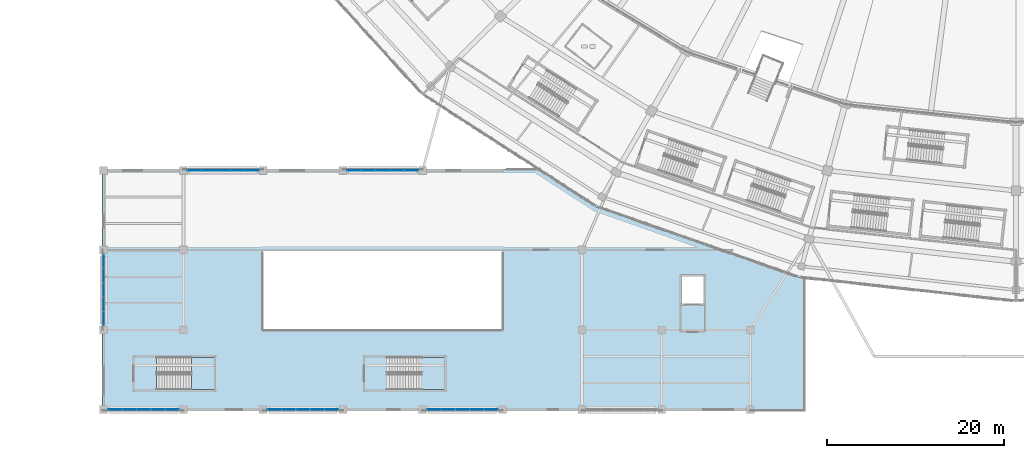
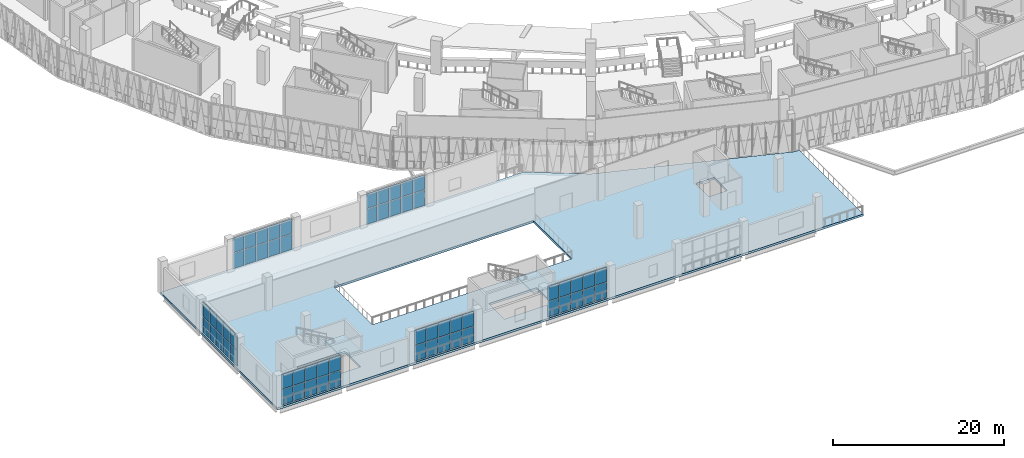
# One storey, part 72 of 183: 60 plates, 3 slabs, 8 elements without a shape of their own.
"""IFC4 building model written with IfcOpenShell, lengths in metres."""

from ifc_helpers import new_model, si_unit, direction, frame, origin, origin_2d, place, context, subcontext, project, spatial, polyline, rectangle, outline, extrude, material, layer, layer_set, type_object, element, aggregate, save


model = new_model("IFC4")

# Units and contexts
model_context = context("Model", 3, precision=1e-05, world=origin(), true_north=direction((0.0, 1.0)))
body_context = subcontext(model_context, "Body", "Model", "MODEL_VIEW")
ifc_project = project(units=[si_unit("LENGTHUNIT", "METRE"), si_unit("AREAUNIT", "SQUARE_METRE"), si_unit("VOLUMEUNIT", "CUBIC_METRE"), si_unit("PLANEANGLEUNIT", "RADIAN"), si_unit("MASSUNIT", "GRAM", prefix="KILO")], contexts=[model_context])

# Site, building, storey
site_placement = place(None, origin())
site = spatial("IfcSite", under=ifc_project, at=site_placement, CompositionType="ELEMENT")
building_placement = place(site_placement, origin())
building = spatial("IfcBuilding", under=site, at=building_placement, Name="Zevraka Park Crest Stadium", CompositionType="ELEMENT")
storey_placement = place(building_placement, frame((0.0, 0.0, 5.39990234375)))
storey = spatial("IfcBuildingStorey", under=building, at=storey_placement, Name="L01", CompositionType="ELEMENT", Elevation=5.39990234375)

# Curtain wall, plates
ifc_material_1 = material(Name="Anodised architectural aluminium and laminated safety glass", Category="aluminium")
curtain_wall_type_1 = type_object("IfcCurtainWallType", Name="CW27", PredefinedType="NOTDEFINED", material=ifc_material_1)
curtain_wall_1_placement = place(storey_placement, origin())
curtain_wall_1 = element("IfcCurtainWall", 1, at=curtain_wall_1_placement, inside=storey, type_object=curtain_wall_type_1, Name="Wing Curtain Wall CW27 L01-SW-S1-6", PredefinedType="NOTDEFINED")
ifc_material_2 = material(Name="Solar-control laminated double glazing", Category="glass")
ifc_layer_1 = layer(ifc_material_2, 0.035888671875)
ifc_layer_set_1 = layer_set([ifc_layer_1], Name="Solar-control laminated double glazing")
plate_type_1 = type_object("IfcPlateType", Name="CP27", PredefinedType="CURTAIN_PANEL", material=ifc_layer_set_1)
plate_1_placement = place(storey_placement, frame((34.73046875, 0.0, 0.06982421875), z_axis=(0.0, 0.0, 1.0), x_axis=(-1.0, 0.0, 0.0)))
plate_1 = element("IfcPlate", 2, at=plate_1_placement, type_object=plate_type_1, Name="CW27 panel 1.1", PredefinedType="CURTAIN_PANEL", context=body_context, shape_type="SweptSolid", body=[
    extrude(rectangle(XDim=1.51904296875, YDim=0.035888671875, at=origin_2d()), origin(), (0.0, 0.0, 1.0), 2.195068359375),
])
plate_2_placement = place(storey_placement, frame((34.73046875, 0.0, 2.3349609375), z_axis=(0.0, 0.0, 1.0), x_axis=(-1.0, 0.0, 0.0)))
plate_2 = element("IfcPlate", 3, at=plate_2_placement, type_object=plate_type_1, Name="CW27 panel 1.2", PredefinedType="CURTAIN_PANEL", context=body_context, shape_type="SweptSolid", body=[
    extrude(rectangle(XDim=1.51904296875, YDim=0.035888671875, at=origin_2d()), origin(), (0.0, 0.0, 1.0), 2.114990234375),
])
plate_3_placement = place(storey_placement, frame((33.1240234375, 0.0, 0.06982421875), z_axis=(0.0, 0.0, 1.0), x_axis=(-1.0, 0.0, 0.0)))
plate_3 = element("IfcPlate", 4, at=plate_3_placement, type_object=plate_type_1, Name="CW27 panel 2.1", PredefinedType="CURTAIN_PANEL", context=body_context, shape_type="SweptSolid", body=[
    extrude(rectangle(XDim=1.553955078125, YDim=0.035888671875, at=origin_2d()), origin(), (0.0, 0.0, 1.0), 2.195068359375),
])
plate_4_placement = place(storey_placement, frame((33.1240234375, 0.0, 2.3349609375), z_axis=(0.0, 0.0, 1.0), x_axis=(-1.0, 0.0, 0.0)))
plate_4 = element("IfcPlate", 5, at=plate_4_placement, type_object=plate_type_1, Name="CW27 panel 2.2", PredefinedType="CURTAIN_PANEL", context=body_context, shape_type="SweptSolid", body=[
    extrude(rectangle(XDim=1.553955078125, YDim=0.035888671875, at=origin_2d()), origin(), (0.0, 0.0, 1.0), 2.114990234375),
])
plate_5_placement = place(storey_placement, frame((31.5, 0.0, 0.06982421875), z_axis=(0.0, 0.0, 1.0), x_axis=(-1.0, 0.0, 0.0)))
plate_5 = element("IfcPlate", 6, at=plate_5_placement, type_object=plate_type_1, Name="CW27 panel 3.1", PredefinedType="CURTAIN_PANEL", context=body_context, shape_type="SweptSolid", body=[
    extrude(rectangle(XDim=1.553955078125, YDim=0.035888671875, at=origin_2d()), origin(), (0.0, 0.0, 1.0), 2.195068359375),
])
plate_6_placement = place(storey_placement, frame((31.5, 0.0, 2.3349609375), z_axis=(0.0, 0.0, 1.0), x_axis=(-1.0, 0.0, 0.0)))
plate_6 = element("IfcPlate", 7, at=plate_6_placement, type_object=plate_type_1, Name="CW27 panel 3.2", PredefinedType="CURTAIN_PANEL", context=body_context, shape_type="SweptSolid", body=[
    extrude(rectangle(XDim=1.553955078125, YDim=0.035888671875, at=origin_2d()), origin(), (0.0, 0.0, 1.0), 2.114990234375),
])
plate_7_placement = place(storey_placement, frame((29.8759765625, 0.0, 0.06982421875), z_axis=(0.0, 0.0, 1.0), x_axis=(-1.0, 0.0, 0.0)))
plate_7 = element("IfcPlate", 8, at=plate_7_placement, type_object=plate_type_1, Name="CW27 panel 4.1", PredefinedType="CURTAIN_PANEL", context=body_context, shape_type="SweptSolid", body=[
    extrude(rectangle(XDim=1.553955078125, YDim=0.035888671875, at=origin_2d()), origin(), (0.0, 0.0, 1.0), 2.195068359375),
])
plate_8_placement = place(storey_placement, frame((29.8759765625, 0.0, 2.3349609375), z_axis=(0.0, 0.0, 1.0), x_axis=(-1.0, 0.0, 0.0)))
plate_8 = element("IfcPlate", 9, at=plate_8_placement, type_object=plate_type_1, Name="CW27 panel 4.2", PredefinedType="CURTAIN_PANEL", context=body_context, shape_type="SweptSolid", body=[
    extrude(rectangle(XDim=1.553955078125, YDim=0.035888671875, at=origin_2d()), origin(), (0.0, 0.0, 1.0), 2.114990234375),
])
plate_9_placement = place(storey_placement, frame((28.26953125, 0.0, 0.06982421875), z_axis=(0.0, 0.0, 1.0), x_axis=(-1.0, 0.0, 0.0)))
plate_9 = element("IfcPlate", 10, at=plate_9_placement, type_object=plate_type_1, Name="CW27 panel 5.1", PredefinedType="CURTAIN_PANEL", context=body_context, shape_type="SweptSolid", body=[
    extrude(rectangle(XDim=1.51904296875, YDim=0.035888671875, at=origin_2d()), origin(), (0.0, 0.0, 1.0), 2.195068359375),
])
plate_10_placement = place(storey_placement, frame((28.26953125, 0.0, 2.3349609375), z_axis=(0.0, 0.0, 1.0), x_axis=(-1.0, 0.0, 0.0)))
plate_10 = element("IfcPlate", 11, at=plate_10_placement, type_object=plate_type_1, Name="CW27 panel 5.2", PredefinedType="CURTAIN_PANEL", context=body_context, shape_type="SweptSolid", body=[
    extrude(rectangle(XDim=1.51904296875, YDim=0.035888671875, at=origin_2d()), origin(), (0.0, 0.0, 1.0), 2.114990234375),
])
aggregate(curtain_wall_1, [plate_1, plate_2, plate_3, plate_4, plate_5, plate_6, plate_7, plate_8, plate_9, plate_10])

ifc_material_3 = material(Name="Anodised architectural aluminium and laminated safety glass", Category="aluminium")
curtain_wall_type_2 = type_object("IfcCurtainWallType", Name="CW28", PredefinedType="NOTDEFINED", material=ifc_material_3)
curtain_wall_2_placement = place(storey_placement, origin())
curtain_wall_2 = element("IfcCurtainWall", 12, at=curtain_wall_2_placement, inside=storey, type_object=curtain_wall_type_2, Name="Wing Curtain Wall CW28 L01-SW-W-2", PredefinedType="NOTDEFINED")
ifc_material_4 = material(Name="Solar-control laminated double glazing", Category="glass")
ifc_layer_2 = layer(ifc_material_4, 0.035888671875)
ifc_layer_set_2 = layer_set([ifc_layer_2], Name="Solar-control laminated double glazing")
plate_type_2 = type_object("IfcPlateType", Name="CP28", PredefinedType="CURTAIN_PANEL", material=ifc_layer_set_2)
plate_11_placement = place(storey_placement, frame((9.0, 10.26708984375, 0.06005859375), z_axis=(0.0, 0.0, 1.0), x_axis=(0.0, 1.0, 0.0)))
plate_11 = element("IfcPlate", 13, at=plate_11_placement, type_object=plate_type_2, Name="CW28 panel 1.1", PredefinedType="CURTAIN_PANEL", context=body_context, shape_type="SweptSolid", body=[
    extrude(rectangle(XDim=1.533935546875, YDim=0.035888671875, at=origin_2d()), origin(), (0.0, 0.0, 1.0), 2.2099609375),
])
plate_12_placement = place(storey_placement, frame((9.0, 10.26708984375, 2.330078125), z_axis=(0.0, 0.0, 1.0), x_axis=(0.0, 1.0, 0.0)))
plate_12 = element("IfcPlate", 14, at=plate_12_placement, type_object=plate_type_2, Name="CW28 panel 1.2", PredefinedType="CURTAIN_PANEL", context=body_context, shape_type="SweptSolid", body=[
    extrude(rectangle(XDim=1.533935546875, YDim=0.035888671875, at=origin_2d()), origin(), (0.0, 0.0, 1.0), 2.1298828125),
])
plate_13_placement = place(storey_placement, frame((9.0, 11.8759765625, 0.06005859375), z_axis=(0.0, 0.0, 1.0), x_axis=(0.0, 1.0, 0.0)))
plate_13 = element("IfcPlate", 15, at=plate_13_placement, type_object=plate_type_2, Name="CW28 panel 2.1", PredefinedType="CURTAIN_PANEL", context=body_context, shape_type="SweptSolid", body=[
    extrude(rectangle(XDim=1.56396484375, YDim=0.035888671875, at=origin_2d()), origin(), (0.0, 0.0, 1.0), 2.2099609375),
])
plate_14_placement = place(storey_placement, frame((9.0, 11.8759765625, 2.330078125), z_axis=(0.0, 0.0, 1.0), x_axis=(0.0, 1.0, 0.0)))
plate_14 = element("IfcPlate", 16, at=plate_14_placement, type_object=plate_type_2, Name="CW28 panel 2.2", PredefinedType="CURTAIN_PANEL", context=body_context, shape_type="SweptSolid", body=[
    extrude(rectangle(XDim=1.56396484375, YDim=0.035888671875, at=origin_2d()), origin(), (0.0, 0.0, 1.0), 2.1298828125),
])
plate_15_placement = place(storey_placement, frame((9.0, 13.5, 0.06005859375), z_axis=(0.0, 0.0, 1.0), x_axis=(0.0, 1.0, 0.0)))
plate_15 = element("IfcPlate", 17, at=plate_15_placement, type_object=plate_type_2, Name="CW28 panel 3.1", PredefinedType="CURTAIN_PANEL", context=body_context, shape_type="SweptSolid", body=[
    extrude(rectangle(XDim=1.56396484375, YDim=0.035888671875, at=origin_2d()), origin(), (0.0, 0.0, 1.0), 2.2099609375),
])
plate_16_placement = place(storey_placement, frame((9.0, 13.5, 2.330078125), z_axis=(0.0, 0.0, 1.0), x_axis=(0.0, 1.0, 0.0)))
plate_16 = element("IfcPlate", 18, at=plate_16_placement, type_object=plate_type_2, Name="CW28 panel 3.2", PredefinedType="CURTAIN_PANEL", context=body_context, shape_type="SweptSolid", body=[
    extrude(rectangle(XDim=1.56396484375, YDim=0.035888671875, at=origin_2d()), origin(), (0.0, 0.0, 1.0), 2.1298828125),
])
plate_17_placement = place(storey_placement, frame((9.0, 15.1240234375, 0.06005859375), z_axis=(0.0, 0.0, 1.0), x_axis=(0.0, 1.0, 0.0)))
plate_17 = element("IfcPlate", 19, at=plate_17_placement, type_object=plate_type_2, Name="CW28 panel 4.1", PredefinedType="CURTAIN_PANEL", context=body_context, shape_type="SweptSolid", body=[
    extrude(rectangle(XDim=1.56396484375, YDim=0.035888671875, at=origin_2d()), origin(), (0.0, 0.0, 1.0), 2.2099609375),
])
plate_18_placement = place(storey_placement, frame((9.0, 15.1240234375, 2.330078125), z_axis=(0.0, 0.0, 1.0), x_axis=(0.0, 1.0, 0.0)))
plate_18 = element("IfcPlate", 20, at=plate_18_placement, type_object=plate_type_2, Name="CW28 panel 4.2", PredefinedType="CURTAIN_PANEL", context=body_context, shape_type="SweptSolid", body=[
    extrude(rectangle(XDim=1.56396484375, YDim=0.035888671875, at=origin_2d()), origin(), (0.0, 0.0, 1.0), 2.1298828125),
])
plate_19_placement = place(storey_placement, frame((9.0, 16.73291015625, 0.06005859375), z_axis=(0.0, 0.0, 1.0), x_axis=(0.0, 1.0, 0.0)))
plate_19 = element("IfcPlate", 21, at=plate_19_placement, type_object=plate_type_2, Name="CW28 panel 5.1", PredefinedType="CURTAIN_PANEL", context=body_context, shape_type="SweptSolid", body=[
    extrude(rectangle(XDim=1.533935546875, YDim=0.035888671875, at=origin_2d()), origin(), (0.0, 0.0, 1.0), 2.2099609375),
])
plate_20_placement = place(storey_placement, frame((9.0, 16.73291015625, 2.330078125), z_axis=(0.0, 0.0, 1.0), x_axis=(0.0, 1.0, 0.0)))
plate_20 = element("IfcPlate", 22, at=plate_20_placement, type_object=plate_type_2, Name="CW28 panel 5.2", PredefinedType="CURTAIN_PANEL", context=body_context, shape_type="SweptSolid", body=[
    extrude(rectangle(XDim=1.533935546875, YDim=0.035888671875, at=origin_2d()), origin(), (0.0, 0.0, 1.0), 2.1298828125),
])
aggregate(curtain_wall_2, [plate_11, plate_12, plate_13, plate_14, plate_15, plate_16, plate_17, plate_18, plate_19, plate_20])

curtain_wall_3_placement = place(storey_placement, origin())
curtain_wall_3 = element("IfcCurtainWall", 23, at=curtain_wall_3_placement, inside=storey, type_object=curtain_wall_type_2, Name="Wing Curtain Wall CW28 L01-SW-N-2", PredefinedType="NOTDEFINED")
plate_21_placement = place(storey_placement, frame((19.26708984375, 27.0, 0.06005859375), z_axis=(0.0, 0.0, 1.0), x_axis=(1.0, 0.0, 0.0)))
plate_21 = element("IfcPlate", 24, at=plate_21_placement, type_object=plate_type_2, Name="CW28 panel 1.1", PredefinedType="CURTAIN_PANEL", context=body_context, shape_type="SweptSolid", body=[
    extrude(rectangle(XDim=1.533935546875, YDim=0.035888671875, at=origin_2d()), origin(), (0.0, 0.0, 1.0), 2.2099609375),
])
plate_22_placement = place(storey_placement, frame((19.26708984375, 27.0, 2.330078125), z_axis=(0.0, 0.0, 1.0), x_axis=(1.0, 0.0, 0.0)))
plate_22 = element("IfcPlate", 25, at=plate_22_placement, type_object=plate_type_2, Name="CW28 panel 1.2", PredefinedType="CURTAIN_PANEL", context=body_context, shape_type="SweptSolid", body=[
    extrude(rectangle(XDim=1.533935546875, YDim=0.035888671875, at=origin_2d()), origin(), (0.0, 0.0, 1.0), 2.1298828125),
])
plate_23_placement = place(storey_placement, frame((20.8759765625, 27.0, 0.06005859375), z_axis=(0.0, 0.0, 1.0), x_axis=(1.0, 0.0, 0.0)))
plate_23 = element("IfcPlate", 26, at=plate_23_placement, type_object=plate_type_2, Name="CW28 panel 2.1", PredefinedType="CURTAIN_PANEL", context=body_context, shape_type="SweptSolid", body=[
    extrude(rectangle(XDim=1.56396484375, YDim=0.035888671875, at=origin_2d()), origin(), (0.0, 0.0, 1.0), 2.2099609375),
])
plate_24_placement = place(storey_placement, frame((20.8759765625, 27.0, 2.330078125), z_axis=(0.0, 0.0, 1.0), x_axis=(1.0, 0.0, 0.0)))
plate_24 = element("IfcPlate", 27, at=plate_24_placement, type_object=plate_type_2, Name="CW28 panel 2.2", PredefinedType="CURTAIN_PANEL", context=body_context, shape_type="SweptSolid", body=[
    extrude(rectangle(XDim=1.56396484375, YDim=0.035888671875, at=origin_2d()), origin(), (0.0, 0.0, 1.0), 2.1298828125),
])
plate_25_placement = place(storey_placement, frame((22.5, 27.0, 0.06005859375), z_axis=(0.0, 0.0, 1.0), x_axis=(1.0, 0.0, 0.0)))
plate_25 = element("IfcPlate", 28, at=plate_25_placement, type_object=plate_type_2, Name="CW28 panel 3.1", PredefinedType="CURTAIN_PANEL", context=body_context, shape_type="SweptSolid", body=[
    extrude(rectangle(XDim=1.56396484375, YDim=0.035888671875, at=origin_2d()), origin(), (0.0, 0.0, 1.0), 2.2099609375),
])
plate_26_placement = place(storey_placement, frame((22.5, 27.0, 2.330078125), z_axis=(0.0, 0.0, 1.0), x_axis=(1.0, 0.0, 0.0)))
plate_26 = element("IfcPlate", 29, at=plate_26_placement, type_object=plate_type_2, Name="CW28 panel 3.2", PredefinedType="CURTAIN_PANEL", context=body_context, shape_type="SweptSolid", body=[
    extrude(rectangle(XDim=1.56396484375, YDim=0.035888671875, at=origin_2d()), origin(), (0.0, 0.0, 1.0), 2.1298828125),
])
plate_27_placement = place(storey_placement, frame((24.1240234375, 27.0, 0.06005859375), z_axis=(0.0, 0.0, 1.0), x_axis=(1.0, 0.0, 0.0)))
plate_27 = element("IfcPlate", 30, at=plate_27_placement, type_object=plate_type_2, Name="CW28 panel 4.1", PredefinedType="CURTAIN_PANEL", context=body_context, shape_type="SweptSolid", body=[
    extrude(rectangle(XDim=1.56396484375, YDim=0.035888671875, at=origin_2d()), origin(), (0.0, 0.0, 1.0), 2.2099609375),
])
plate_28_placement = place(storey_placement, frame((24.1240234375, 27.0, 2.330078125), z_axis=(0.0, 0.0, 1.0), x_axis=(1.0, 0.0, 0.0)))
plate_28 = element("IfcPlate", 31, at=plate_28_placement, type_object=plate_type_2, Name="CW28 panel 4.2", PredefinedType="CURTAIN_PANEL", context=body_context, shape_type="SweptSolid", body=[
    extrude(rectangle(XDim=1.56396484375, YDim=0.035888671875, at=origin_2d()), origin(), (0.0, 0.0, 1.0), 2.1298828125),
])
plate_29_placement = place(storey_placement, frame((25.73291015625, 27.0, 0.06005859375), z_axis=(0.0, 0.0, 1.0), x_axis=(1.0, 0.0, 0.0)))
plate_29 = element("IfcPlate", 32, at=plate_29_placement, type_object=plate_type_2, Name="CW28 panel 5.1", PredefinedType="CURTAIN_PANEL", context=body_context, shape_type="SweptSolid", body=[
    extrude(rectangle(XDim=1.533935546875, YDim=0.035888671875, at=origin_2d()), origin(), (0.0, 0.0, 1.0), 2.2099609375),
])
plate_30_placement = place(storey_placement, frame((25.73291015625, 27.0, 2.330078125), z_axis=(0.0, 0.0, 1.0), x_axis=(1.0, 0.0, 0.0)))
plate_30 = element("IfcPlate", 33, at=plate_30_placement, type_object=plate_type_2, Name="CW28 panel 5.2", PredefinedType="CURTAIN_PANEL", context=body_context, shape_type="SweptSolid", body=[
    extrude(rectangle(XDim=1.533935546875, YDim=0.035888671875, at=origin_2d()), origin(), (0.0, 0.0, 1.0), 2.1298828125),
])
aggregate(curtain_wall_3, [plate_21, plate_22, plate_23, plate_24, plate_25, plate_26, plate_27, plate_28, plate_29, plate_30])

ifc_material_5 = material(Name="Anodised architectural aluminium and laminated safety glass", Category="aluminium")
curtain_wall_type_3 = type_object("IfcCurtainWallType", Name="CW29", PredefinedType="NOTDEFINED", material=ifc_material_5)
curtain_wall_4_placement = place(storey_placement, origin())
curtain_wall_4 = element("IfcCurtainWall", 34, at=curtain_wall_4_placement, inside=storey, type_object=curtain_wall_type_3, Name="Wing Curtain Wall CW29 L01-SW-S1-8", PredefinedType="NOTDEFINED")
ifc_material_6 = material(Name="Solar-control laminated double glazing", Category="glass")
ifc_layer_3 = layer(ifc_material_6, 0.035888671875)
ifc_layer_set_3 = layer_set([ifc_layer_3], Name="Solar-control laminated double glazing")
plate_type_3 = type_object("IfcPlateType", Name="CP29", PredefinedType="CURTAIN_PANEL", material=ifc_layer_set_3)
plate_31_placement = place(storey_placement, frame((16.731689453125, 0.0, 0.06494140625), z_axis=(0.0, 0.0, 1.0), x_axis=(-1.0, 0.0, 0.0)))
plate_31 = element("IfcPlate", 35, at=plate_31_placement, type_object=plate_type_3, Name="CW29 panel 1.1", PredefinedType="CURTAIN_PANEL", context=body_context, shape_type="SweptSolid", body=[
    extrude(rectangle(XDim=1.526611328125, YDim=0.035888671875, at=origin_2d()), origin(), (0.0, 0.0, 1.0), 2.202392578125),
])
plate_32_placement = place(storey_placement, frame((16.731689453125, 0.0, 2.33251953125), z_axis=(0.0, 0.0, 1.0), x_axis=(-1.0, 0.0, 0.0)))
plate_32 = element("IfcPlate", 36, at=plate_32_placement, type_object=plate_type_3, Name="CW29 panel 1.2", PredefinedType="CURTAIN_PANEL", context=body_context, shape_type="SweptSolid", body=[
    extrude(rectangle(XDim=1.526611328125, YDim=0.035888671875, at=origin_2d()), origin(), (0.0, 0.0, 1.0), 2.12255859375),
])
plate_33_placement = place(storey_placement, frame((15.1240234375, 0.0, 0.06494140625), z_axis=(0.0, 0.0, 1.0), x_axis=(-1.0, 0.0, 0.0)))
plate_33 = element("IfcPlate", 37, at=plate_33_placement, type_object=plate_type_3, Name="CW29 panel 2.1", PredefinedType="CURTAIN_PANEL", context=body_context, shape_type="SweptSolid", body=[
    extrude(rectangle(XDim=1.55908203125, YDim=0.035888671875, at=origin_2d()), origin(), (0.0, 0.0, 1.0), 2.202392578125),
])
plate_34_placement = place(storey_placement, frame((15.1240234375, 0.0, 2.33251953125), z_axis=(0.0, 0.0, 1.0), x_axis=(-1.0, 0.0, 0.0)))
plate_34 = element("IfcPlate", 38, at=plate_34_placement, type_object=plate_type_3, Name="CW29 panel 2.2", PredefinedType="CURTAIN_PANEL", context=body_context, shape_type="SweptSolid", body=[
    extrude(rectangle(XDim=1.55908203125, YDim=0.035888671875, at=origin_2d()), origin(), (0.0, 0.0, 1.0), 2.12255859375),
])
plate_35_placement = place(storey_placement, frame((13.5, 0.0, 0.06494140625), z_axis=(0.0, 0.0, 1.0), x_axis=(-1.0, 0.0, 0.0)))
plate_35 = element("IfcPlate", 39, at=plate_35_placement, type_object=plate_type_3, Name="CW29 panel 3.1", PredefinedType="CURTAIN_PANEL", context=body_context, shape_type="SweptSolid", body=[
    extrude(rectangle(XDim=1.55908203125, YDim=0.035888671875, at=origin_2d()), origin(), (0.0, 0.0, 1.0), 2.202392578125),
])
plate_36_placement = place(storey_placement, frame((13.5, 0.0, 2.33251953125), z_axis=(0.0, 0.0, 1.0), x_axis=(-1.0, 0.0, 0.0)))
plate_36 = element("IfcPlate", 40, at=plate_36_placement, type_object=plate_type_3, Name="CW29 panel 3.2", PredefinedType="CURTAIN_PANEL", context=body_context, shape_type="SweptSolid", body=[
    extrude(rectangle(XDim=1.55908203125, YDim=0.035888671875, at=origin_2d()), origin(), (0.0, 0.0, 1.0), 2.12255859375),
])
plate_37_placement = place(storey_placement, frame((11.8759765625, 0.0, 0.06494140625), z_axis=(0.0, 0.0, 1.0), x_axis=(-1.0, 0.0, 0.0)))
plate_37 = element("IfcPlate", 41, at=plate_37_placement, type_object=plate_type_3, Name="CW29 panel 4.1", PredefinedType="CURTAIN_PANEL", context=body_context, shape_type="SweptSolid", body=[
    extrude(rectangle(XDim=1.55908203125, YDim=0.035888671875, at=origin_2d()), origin(), (0.0, 0.0, 1.0), 2.202392578125),
])
plate_38_placement = place(storey_placement, frame((11.8759765625, 0.0, 2.33251953125), z_axis=(0.0, 0.0, 1.0), x_axis=(-1.0, 0.0, 0.0)))
plate_38 = element("IfcPlate", 42, at=plate_38_placement, type_object=plate_type_3, Name="CW29 panel 4.2", PredefinedType="CURTAIN_PANEL", context=body_context, shape_type="SweptSolid", body=[
    extrude(rectangle(XDim=1.55908203125, YDim=0.035888671875, at=origin_2d()), origin(), (0.0, 0.0, 1.0), 2.12255859375),
])
plate_39_placement = place(storey_placement, frame((10.268310546875, 0.0, 0.06494140625), z_axis=(0.0, 0.0, 1.0), x_axis=(-1.0, 0.0, 0.0)))
plate_39 = element("IfcPlate", 43, at=plate_39_placement, type_object=plate_type_3, Name="CW29 panel 5.1", PredefinedType="CURTAIN_PANEL", context=body_context, shape_type="SweptSolid", body=[
    extrude(rectangle(XDim=1.526611328125, YDim=0.035888671875, at=origin_2d()), origin(), (0.0, 0.0, 1.0), 2.202392578125),
])
plate_40_placement = place(storey_placement, frame((10.268310546875, 0.0, 2.33251953125), z_axis=(0.0, 0.0, 1.0), x_axis=(-1.0, 0.0, 0.0)))
plate_40 = element("IfcPlate", 44, at=plate_40_placement, type_object=plate_type_3, Name="CW29 panel 5.2", PredefinedType="CURTAIN_PANEL", context=body_context, shape_type="SweptSolid", body=[
    extrude(rectangle(XDim=1.526611328125, YDim=0.035888671875, at=origin_2d()), origin(), (0.0, 0.0, 1.0), 2.12255859375),
])
aggregate(curtain_wall_4, [plate_31, plate_32, plate_33, plate_34, plate_35, plate_36, plate_37, plate_38, plate_39, plate_40])

ifc_material_7 = material(Name="Anodised architectural aluminium and laminated safety glass", Category="aluminium")
curtain_wall_type_4 = type_object("IfcCurtainWallType", Name="CW30", PredefinedType="NOTDEFINED", material=ifc_material_7)
curtain_wall_5_placement = place(storey_placement, origin())
curtain_wall_5 = element("IfcCurtainWall", 45, at=curtain_wall_5_placement, inside=storey, type_object=curtain_wall_type_4, Name="Wing Curtain Wall CW30 L01-SW-S1-4", PredefinedType="NOTDEFINED")
ifc_material_8 = material(Name="Solar-control laminated double glazing", Category="glass")
ifc_layer_4 = layer(ifc_material_8, 0.035888671875)
ifc_layer_set_4 = layer_set([ifc_layer_4], Name="Solar-control laminated double glazing")
plate_type_4 = type_object("IfcPlateType", Name="CP30", PredefinedType="CURTAIN_PANEL", material=ifc_layer_set_4)
plate_41_placement = place(storey_placement, frame((52.73046875, 0.0, 0.06982421875), z_axis=(0.0, 0.0, 1.0), x_axis=(-1.0, 0.0, 0.0)))
plate_41 = element("IfcPlate", 46, at=plate_41_placement, type_object=plate_type_4, Name="CW30 panel 1.1", PredefinedType="CURTAIN_PANEL", context=body_context, shape_type="SweptSolid", body=[
    extrude(rectangle(XDim=1.51904296875, YDim=0.035888671875, at=origin_2d()), origin(), (0.0, 0.0, 1.0), 2.195068359375),
])
plate_42_placement = place(storey_placement, frame((52.73046875, 0.0, 2.3349609375), z_axis=(0.0, 0.0, 1.0), x_axis=(-1.0, 0.0, 0.0)))
plate_42 = element("IfcPlate", 47, at=plate_42_placement, type_object=plate_type_4, Name="CW30 panel 1.2", PredefinedType="CURTAIN_PANEL", context=body_context, shape_type="SweptSolid", body=[
    extrude(rectangle(XDim=1.51904296875, YDim=0.035888671875, at=origin_2d()), origin(), (0.0, 0.0, 1.0), 2.114990234375),
])
plate_43_placement = place(storey_placement, frame((51.1240234375, 0.0, 0.06982421875), z_axis=(0.0, 0.0, 1.0), x_axis=(-1.0, 0.0, 0.0)))
plate_43 = element("IfcPlate", 48, at=plate_43_placement, type_object=plate_type_4, Name="CW30 panel 2.1", PredefinedType="CURTAIN_PANEL", context=body_context, shape_type="SweptSolid", body=[
    extrude(rectangle(XDim=1.553955078125, YDim=0.035888671875, at=origin_2d()), origin(), (0.0, 0.0, 1.0), 2.195068359375),
])
plate_44_placement = place(storey_placement, frame((51.1240234375, 0.0, 2.3349609375), z_axis=(0.0, 0.0, 1.0), x_axis=(-1.0, 0.0, 0.0)))
plate_44 = element("IfcPlate", 49, at=plate_44_placement, type_object=plate_type_4, Name="CW30 panel 2.2", PredefinedType="CURTAIN_PANEL", context=body_context, shape_type="SweptSolid", body=[
    extrude(rectangle(XDim=1.553955078125, YDim=0.035888671875, at=origin_2d()), origin(), (0.0, 0.0, 1.0), 2.114990234375),
])
plate_45_placement = place(storey_placement, frame((49.5, 0.0, 0.06982421875), z_axis=(0.0, 0.0, 1.0), x_axis=(-1.0, 0.0, 0.0)))
plate_45 = element("IfcPlate", 50, at=plate_45_placement, type_object=plate_type_4, Name="CW30 panel 3.1", PredefinedType="CURTAIN_PANEL", context=body_context, shape_type="SweptSolid", body=[
    extrude(rectangle(XDim=1.553955078125, YDim=0.035888671875, at=origin_2d()), origin(), (0.0, 0.0, 1.0), 2.195068359375),
])
plate_46_placement = place(storey_placement, frame((49.5, 0.0, 2.3349609375), z_axis=(0.0, 0.0, 1.0), x_axis=(-1.0, 0.0, 0.0)))
plate_46 = element("IfcPlate", 51, at=plate_46_placement, type_object=plate_type_4, Name="CW30 panel 3.2", PredefinedType="CURTAIN_PANEL", context=body_context, shape_type="SweptSolid", body=[
    extrude(rectangle(XDim=1.553955078125, YDim=0.035888671875, at=origin_2d()), origin(), (0.0, 0.0, 1.0), 2.114990234375),
])
plate_47_placement = place(storey_placement, frame((47.8759765625, 0.0, 0.06982421875), z_axis=(0.0, 0.0, 1.0), x_axis=(-1.0, 0.0, 0.0)))
plate_47 = element("IfcPlate", 52, at=plate_47_placement, type_object=plate_type_4, Name="CW30 panel 4.1", PredefinedType="CURTAIN_PANEL", context=body_context, shape_type="SweptSolid", body=[
    extrude(rectangle(XDim=1.553955078125, YDim=0.035888671875, at=origin_2d()), origin(), (0.0, 0.0, 1.0), 2.195068359375),
])
plate_48_placement = place(storey_placement, frame((47.8759765625, 0.0, 2.3349609375), z_axis=(0.0, 0.0, 1.0), x_axis=(-1.0, 0.0, 0.0)))
plate_48 = element("IfcPlate", 53, at=plate_48_placement, type_object=plate_type_4, Name="CW30 panel 4.2", PredefinedType="CURTAIN_PANEL", context=body_context, shape_type="SweptSolid", body=[
    extrude(rectangle(XDim=1.553955078125, YDim=0.035888671875, at=origin_2d()), origin(), (0.0, 0.0, 1.0), 2.114990234375),
])
plate_49_placement = place(storey_placement, frame((46.26953125, 0.0, 0.06982421875), z_axis=(0.0, 0.0, 1.0), x_axis=(-1.0, 0.0, 0.0)))
plate_49 = element("IfcPlate", 54, at=plate_49_placement, type_object=plate_type_4, Name="CW30 panel 5.1", PredefinedType="CURTAIN_PANEL", context=body_context, shape_type="SweptSolid", body=[
    extrude(rectangle(XDim=1.51904296875, YDim=0.035888671875, at=origin_2d()), origin(), (0.0, 0.0, 1.0), 2.195068359375),
])
plate_50_placement = place(storey_placement, frame((46.26953125, 0.0, 2.3349609375), z_axis=(0.0, 0.0, 1.0), x_axis=(-1.0, 0.0, 0.0)))
plate_50 = element("IfcPlate", 55, at=plate_50_placement, type_object=plate_type_4, Name="CW30 panel 5.2", PredefinedType="CURTAIN_PANEL", context=body_context, shape_type="SweptSolid", body=[
    extrude(rectangle(XDim=1.51904296875, YDim=0.035888671875, at=origin_2d()), origin(), (0.0, 0.0, 1.0), 2.114990234375),
])
aggregate(curtain_wall_5, [plate_41, plate_42, plate_43, plate_44, plate_45, plate_46, plate_47, plate_48, plate_49, plate_50])

curtain_wall_6_placement = place(storey_placement, origin())
curtain_wall_6 = element("IfcCurtainWall", 56, at=curtain_wall_6_placement, inside=storey, type_object=curtain_wall_type_4, Name="Wing Curtain Wall CW30 L01-SW-N-4", PredefinedType="NOTDEFINED")
plate_51_placement = place(storey_placement, frame((37.26953125, 27.0, 0.06982421875), z_axis=(0.0, 0.0, 1.0), x_axis=(1.0, 0.0, 0.0)))
plate_51 = element("IfcPlate", 57, at=plate_51_placement, type_object=plate_type_4, Name="CW30 panel 1.1", PredefinedType="CURTAIN_PANEL", context=body_context, shape_type="SweptSolid", body=[
    extrude(rectangle(XDim=1.51904296875, YDim=0.035888671875, at=origin_2d()), origin(), (0.0, 0.0, 1.0), 2.195068359375),
])
plate_52_placement = place(storey_placement, frame((37.26953125, 27.0, 2.3349609375), z_axis=(0.0, 0.0, 1.0), x_axis=(1.0, 0.0, 0.0)))
plate_52 = element("IfcPlate", 58, at=plate_52_placement, type_object=plate_type_4, Name="CW30 panel 1.2", PredefinedType="CURTAIN_PANEL", context=body_context, shape_type="SweptSolid", body=[
    extrude(rectangle(XDim=1.51904296875, YDim=0.035888671875, at=origin_2d()), origin(), (0.0, 0.0, 1.0), 2.114990234375),
])
plate_53_placement = place(storey_placement, frame((38.8759765625, 27.0, 0.06982421875), z_axis=(0.0, 0.0, 1.0), x_axis=(1.0, 0.0, 0.0)))
plate_53 = element("IfcPlate", 59, at=plate_53_placement, type_object=plate_type_4, Name="CW30 panel 2.1", PredefinedType="CURTAIN_PANEL", context=body_context, shape_type="SweptSolid", body=[
    extrude(rectangle(XDim=1.553955078125, YDim=0.035888671875, at=origin_2d()), origin(), (0.0, 0.0, 1.0), 2.195068359375),
])
plate_54_placement = place(storey_placement, frame((38.8759765625, 27.0, 2.3349609375), z_axis=(0.0, 0.0, 1.0), x_axis=(1.0, 0.0, 0.0)))
plate_54 = element("IfcPlate", 60, at=plate_54_placement, type_object=plate_type_4, Name="CW30 panel 2.2", PredefinedType="CURTAIN_PANEL", context=body_context, shape_type="SweptSolid", body=[
    extrude(rectangle(XDim=1.553955078125, YDim=0.035888671875, at=origin_2d()), origin(), (0.0, 0.0, 1.0), 2.114990234375),
])
plate_55_placement = place(storey_placement, frame((40.5, 27.0, 0.06982421875), z_axis=(0.0, 0.0, 1.0), x_axis=(1.0, 0.0, 0.0)))
plate_55 = element("IfcPlate", 61, at=plate_55_placement, type_object=plate_type_4, Name="CW30 panel 3.1", PredefinedType="CURTAIN_PANEL", context=body_context, shape_type="SweptSolid", body=[
    extrude(rectangle(XDim=1.553955078125, YDim=0.035888671875, at=origin_2d()), origin(), (0.0, 0.0, 1.0), 2.195068359375),
])
plate_56_placement = place(storey_placement, frame((40.5, 27.0, 2.3349609375), z_axis=(0.0, 0.0, 1.0), x_axis=(1.0, 0.0, 0.0)))
plate_56 = element("IfcPlate", 62, at=plate_56_placement, type_object=plate_type_4, Name="CW30 panel 3.2", PredefinedType="CURTAIN_PANEL", context=body_context, shape_type="SweptSolid", body=[
    extrude(rectangle(XDim=1.553955078125, YDim=0.035888671875, at=origin_2d()), origin(), (0.0, 0.0, 1.0), 2.114990234375),
])
plate_57_placement = place(storey_placement, frame((42.1240234375, 27.0, 0.06982421875), z_axis=(0.0, 0.0, 1.0), x_axis=(1.0, 0.0, 0.0)))
plate_57 = element("IfcPlate", 63, at=plate_57_placement, type_object=plate_type_4, Name="CW30 panel 4.1", PredefinedType="CURTAIN_PANEL", context=body_context, shape_type="SweptSolid", body=[
    extrude(rectangle(XDim=1.553955078125, YDim=0.035888671875, at=origin_2d()), origin(), (0.0, 0.0, 1.0), 2.195068359375),
])
plate_58_placement = place(storey_placement, frame((42.1240234375, 27.0, 2.3349609375), z_axis=(0.0, 0.0, 1.0), x_axis=(1.0, 0.0, 0.0)))
plate_58 = element("IfcPlate", 64, at=plate_58_placement, type_object=plate_type_4, Name="CW30 panel 4.2", PredefinedType="CURTAIN_PANEL", context=body_context, shape_type="SweptSolid", body=[
    extrude(rectangle(XDim=1.553955078125, YDim=0.035888671875, at=origin_2d()), origin(), (0.0, 0.0, 1.0), 2.114990234375),
])
plate_59_placement = place(storey_placement, frame((43.73046875, 27.0, 0.06982421875), z_axis=(0.0, 0.0, 1.0), x_axis=(1.0, 0.0, 0.0)))
plate_59 = element("IfcPlate", 65, at=plate_59_placement, type_object=plate_type_4, Name="CW30 panel 5.1", PredefinedType="CURTAIN_PANEL", context=body_context, shape_type="SweptSolid", body=[
    extrude(rectangle(XDim=1.51904296875, YDim=0.035888671875, at=origin_2d()), origin(), (0.0, 0.0, 1.0), 2.195068359375),
])
plate_60_placement = place(storey_placement, frame((43.73046875, 27.0, 2.3349609375), z_axis=(0.0, 0.0, 1.0), x_axis=(1.0, 0.0, 0.0)))
plate_60 = element("IfcPlate", 66, at=plate_60_placement, type_object=plate_type_4, Name="CW30 panel 5.2", PredefinedType="CURTAIN_PANEL", context=body_context, shape_type="SweptSolid", body=[
    extrude(rectangle(XDim=1.51904296875, YDim=0.035888671875, at=origin_2d()), origin(), (0.0, 0.0, 1.0), 2.114990234375),
])
aggregate(curtain_wall_6, [plate_51, plate_52, plate_53, plate_54, plate_55, plate_56, plate_57, plate_58, plate_59, plate_60])

# Slab
ifc_material_9 = material(Name="Concrete C35/45", Category="concrete")
ifc_layer_5 = layer(ifc_material_9, 0.300048828125)
ifc_layer_set_5 = layer_set([ifc_layer_5], Name="Concrete C35/45")
slab_type_1 = type_object("IfcSlabType", Name="FS01", PredefinedType="FLOOR", material=ifc_layer_set_5)
slab_1_placement = place(storey_placement, frame((0.0, 0.0, -0.2998046875)))
element("IfcSlab", 67, at=slab_1_placement, inside=storey, type_object=slab_type_1, Name="South Street Broadcast, Press Auditorium and Central Plant Wing Floor Slab L01-1", PredefinedType="FLOOR", context=body_context, shape_type="SweptSolid", body=[
    extrude(outline(polyline([(87.4619140625, 14.9140625), (88.175048828125, 14.8349609375), (88.175048828125, -0.175048828125), (8.824951171875, -0.175048828125), (8.824951171875, 27.175048828125), (57.9580078125, 27.175048828125), (64.596923828125, 22.886962890625), (87.4619140625, 14.9140625)]), holes=[polyline([(54.0, 18.0), (27.0, 18.0), (27.0, 9.0), (54.0, 9.0), (54.0, 18.0)]), polyline([(14.97998046875, 2.25), (21.5, 2.25), (21.5, 5.909912109375), (14.97998046875, 5.909912109375), (14.97998046875, 2.25)]), polyline([(40.97998046875, 5.909912109375), (40.97998046875, 2.25), (47.5, 2.25), (47.5, 5.909912109375), (40.97998046875, 5.909912109375)]), polyline([(74.25, 15.050048828125), (74.25, 11.949951171875), (76.75, 11.949951171875), (76.75, 15.050048828125), (74.25, 15.050048828125)])]), origin(), (0.0, 0.0, 1.0), 0.2998046875),
])

# Stair, slab
ifc_material_10 = material(Name="Concrete C35/45", Category="concrete")
stair_type = type_object("IfcStairType", Name="STC2", PredefinedType="HALF_TURN_STAIR", material=ifc_material_10)
stair_1_placement = place(storey_placement, origin())
stair_1 = element("IfcStair", 68, at=stair_1_placement, inside=storey, type_object=stair_type, Name="L01 South Broadcast Wing West Stair ST51", PredefinedType="HALF_TURN_STAIR")
ifc_material_11 = material(Name="Concrete C35/45", Category="concrete")
ifc_layer_6 = layer(ifc_material_11, 0.199951171875)
ifc_layer_set_6 = layer_set([ifc_layer_6], Name="Concrete C35/45")
slab_type_2 = type_object("IfcSlabType", Name="LS01", PredefinedType="LANDING", material=ifc_layer_set_6)
slab_2_placement = place(storey_placement, frame((0.0, 0.0, 2.2001953125)))
slab_2 = element("IfcSlab", 69, at=slab_2_placement, type_object=slab_type_2, Name="ST51 landing 1", PredefinedType="LANDING", context=body_context, shape_type="SweptSolid", body=[
    extrude(outline(polyline([(18.889892578125, 2.25), (21.5, 2.25), (21.5, 5.909912109375), (18.889892578125, 5.909912109375), (18.889892578125, 2.25)])), origin(), (0.0, 0.0, 1.0), 0.199951171875),
])
aggregate(stair_1, [slab_2])

stair_2_placement = place(storey_placement, origin())
stair_2 = element("IfcStair", 70, at=stair_2_placement, inside=storey, type_object=stair_type, Name="L01 South Broadcast Wing East Stair ST52", PredefinedType="HALF_TURN_STAIR")
slab_3_placement = place(storey_placement, frame((0.0, 0.0, 2.2001953125)))
slab_3 = element("IfcSlab", 71, at=slab_3_placement, type_object=slab_type_2, Name="ST52 landing 1", PredefinedType="LANDING", context=body_context, shape_type="SweptSolid", body=[
    extrude(outline(polyline([(44.889892578125, 2.25), (47.5, 2.25), (47.5, 5.909912109375), (44.889892578125, 5.909912109375), (44.889892578125, 2.25)])), origin(), (0.0, 0.0, 1.0), 0.199951171875),
])
aggregate(stair_2, [slab_3])

save(model, "model.ifc")
